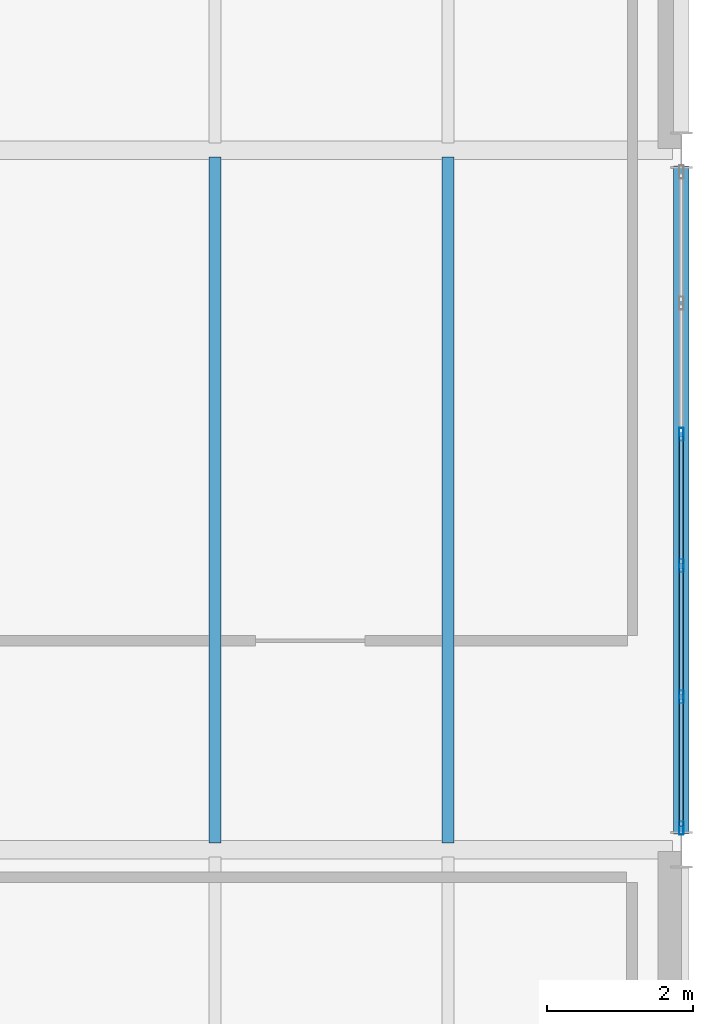
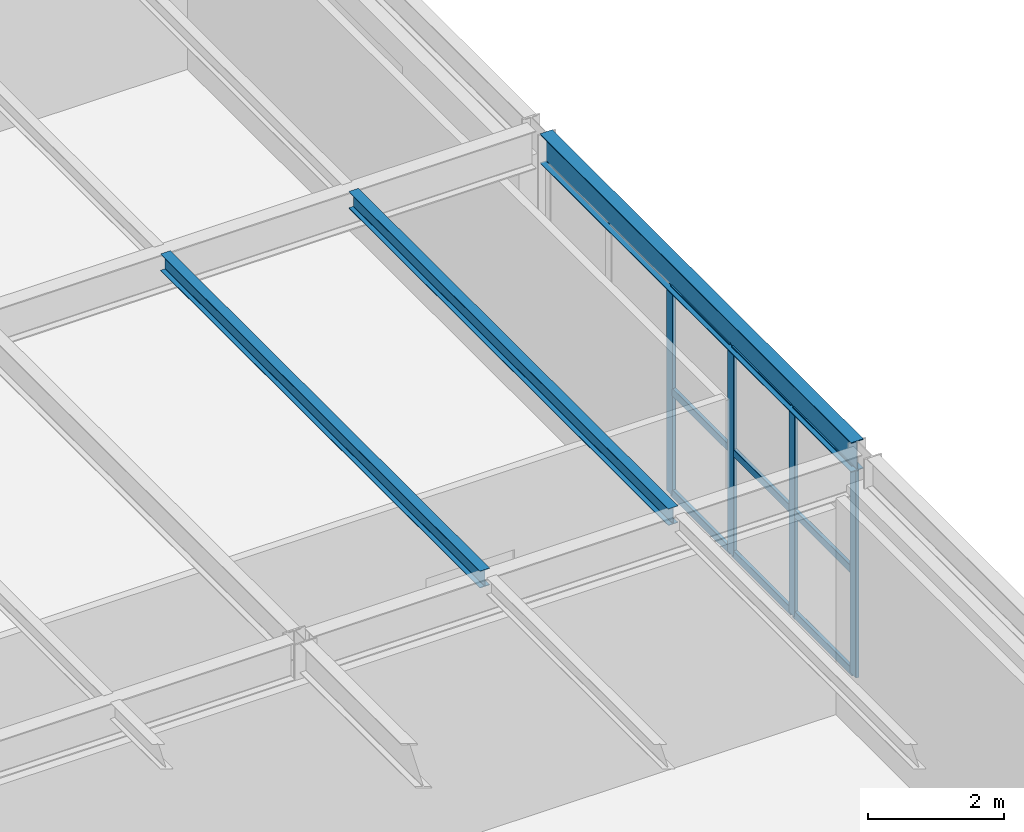
# One storey, part 122 of 170: 13 members, 3 beams, 1 element without a shape of its own.
"""IFC4 building model written with IfcOpenShell, lengths in metres."""

from ifc_helpers import new_model, si_unit, direction, frame, origin, origin_2d, place, context, subcontext, project, spatial, hollow_rectangle, i_section, extrude, material, material_profile, profile_set, type_object, element, aggregate, save


model = new_model("IFC4")

# Units and contexts
model_context = context("Model", 3, precision=1e-05, world=origin(), true_north=direction((0.0, 1.0)))
body_context = subcontext(model_context, "Body", "Model", "MODEL_VIEW")
ifc_project = project(units=[si_unit("LENGTHUNIT", "METRE"), si_unit("AREAUNIT", "SQUARE_METRE"), si_unit("VOLUMEUNIT", "CUBIC_METRE"), si_unit("PLANEANGLEUNIT", "RADIAN"), si_unit("MASSUNIT", "GRAM", prefix="KILO")], contexts=[model_context])

# Site, building, storey
site_placement = place(None, origin())
site = spatial("IfcSite", under=ifc_project, at=site_placement, CompositionType="ELEMENT")
building_placement = place(site_placement, origin())
building = spatial("IfcBuilding", under=site, at=building_placement, Name="Coralgate Yard Interchange", CompositionType="ELEMENT")
storey_placement = place(building_placement, frame((0.0, 0.0, 6.0)))
storey = spatial("IfcBuildingStorey", under=building, at=storey_placement, Name="L01", CompositionType="ELEMENT", Elevation=6.0)

# Beams
ifc_material_1 = material(Name="Structural steel S355J2", Category="steel")
ifc_material_profile_1 = material_profile(ifc_material_1, i_section(OverallWidth=0.209228515625, OverallDepth=0.533203125, WebThickness=0.010009765625, FlangeThickness=0.015625, FilletRadius=0.0126953125, at=origin_2d()), Name="UB 533x210x92")
ifc_profile_set_1 = profile_set([ifc_material_profile_1], Name="Structural steel S355J2")
beam_type_1 = type_object("IfcBeamType", Name="BM-SB-1", PredefinedType="BEAM", material=ifc_profile_set_1)
beam_placement = place(storey_placement, frame((182.39990234375, 9.820068359375, 3.9833984375), z_axis=(0.0, 1.0, 0.0), x_axis=(-1.0, 0.0, 0.0)))
element("IfcBeam", 1, at=beam_placement, inside=storey, type_object=beam_type_1, Name="L01 primary grid girder X19 Y1-2", PredefinedType="BEAM", context=body_context, shape_type="SweptSolid", body=[
    extrude(i_section(OverallWidth=0.209228515625, OverallDepth=0.533203125, WebThickness=0.010009765625, FlangeThickness=0.015625, FilletRadius=0.0126953125, at=origin_2d()), origin(), (0.0, 0.0, 1.0), 9.159912109375),
])
ifc_material_profile_2 = material_profile(ifc_material_1, i_section(OverallWidth=0.1650390625, OverallDepth=0.303466796875, WebThickness=0.006103515625, FlangeThickness=0.01025390625, FilletRadius=0.0087890625, at=origin_2d()), Name="UB 305x165x40")
ifc_profile_set_2 = profile_set([ifc_material_profile_2], Name="Structural steel S355J2")
beam_type_2 = type_object("IfcBeamType", Name="BM-SJ-1", PredefinedType="JOIST", material=ifc_profile_set_2)
for number, where, z_axis, x_axis, name in (
    (2, (176.0, 9.69677734375, 4.098388671875), (0.0, 1.0, 0.0), (-1.0, 0.0, 0.0), "L01 composite floor joist 18-1-1"),
    (3, (179.199951171875, 9.69677734375, 4.098388671875), (0.0, 1.0, 0.0), (-1.0, 0.0, 0.0), "L01 composite floor joist 18-1-2"),
):
    element("IfcBeam", number, at=place(storey_placement, frame(where, z_axis=z_axis, x_axis=x_axis)), inside=storey, type_object=beam_type_2, Name=name, PredefinedType="JOIST", context=body_context, shape_type="SweptSolid", body=[
        extrude(i_section(OverallWidth=0.1650390625, OverallDepth=0.303466796875, WebThickness=0.006103515625, FlangeThickness=0.01025390625, FilletRadius=0.0087890625, at=origin_2d()), origin(), (0.0, 0.0, 1.0), 9.40625),
    ])

# Curtain wall, members
ifc_material_2 = material(Name="Anodised coastal aluminium and solar-control low-E glass", Category="aluminium")
curtain_wall_type = type_object("IfcCurtainWallType", Name="CW-CW-L01-B", PredefinedType="NOTDEFINED", material=ifc_material_2)
curtain_wall_placement = place(storey_placement, origin())
curtain_wall = element("IfcCurtainWall", 4, at=curtain_wall_placement, inside=storey, type_object=curtain_wall_type, Name="L01 unitised curtain wall CW-L01-E-18-01", PredefinedType="NOTDEFINED")
ifc_material_3 = material(Name="Anodised coastal aluminium 6063-T6", Category="aluminium")
ifc_material_profile_3 = material_profile(ifc_material_3, hollow_rectangle(XDim=0.06005859375, YDim=0.179931640625, WallThickness=0.00390625, InnerFilletRadius=0.00390625, OuterFilletRadius=0.008056640625, at=origin_2d()), Name="ALU 60x180x4")
ifc_profile_set_3 = profile_set([ifc_material_profile_3], Name="Anodised coastal aluminium 6063-T6")
member_type_1 = type_object("IfcMemberType", Name="MB-MUL-180", PredefinedType="MULLION", material=ifc_profile_set_3)
member_1_placement = place(storey_placement, frame((182.39990234375, 15.300048828125, 0.0), z_axis=(0.0, 0.0, 1.0), x_axis=(1.0, 0.0, 0.0)))
member_1 = element("IfcMember", 5, at=member_1_placement, type_object=member_type_1, Name="CW-L01-E-18-01 vertical mullion 3", PredefinedType="MULLION", context=body_context, shape_type="SweptSolid", body=[
    extrude(hollow_rectangle(XDim=0.06005859375, YDim=0.179931640625, WallThickness=0.00390625, InnerFilletRadius=0.00390625, OuterFilletRadius=0.008056640625, at=origin_2d()), origin(), (0.0, 0.0, 1.0), 3.716796875),
])
member_2_placement = place(storey_placement, frame((182.39990234375, 13.5, 0.0), z_axis=(0.0, 0.0, 1.0), x_axis=(1.0, 0.0, 0.0)))
member_2 = element("IfcMember", 6, at=member_2_placement, type_object=member_type_1, Name="CW-L01-E-18-01 vertical mullion 4", PredefinedType="MULLION", context=body_context, shape_type="SweptSolid", body=[
    extrude(hollow_rectangle(XDim=0.06005859375, YDim=0.179931640625, WallThickness=0.00390625, InnerFilletRadius=0.00390625, OuterFilletRadius=0.008056640625, at=origin_2d()), origin(), (0.0, 0.0, 1.0), 3.716796875),
])
member_3_placement = place(storey_placement, frame((182.39990234375, 11.699951171875, 0.0), z_axis=(0.0, 0.0, 1.0), x_axis=(1.0, 0.0, 0.0)))
member_3 = element("IfcMember", 7, at=member_3_placement, type_object=member_type_1, Name="CW-L01-E-18-01 vertical mullion 5", PredefinedType="MULLION", context=body_context, shape_type="SweptSolid", body=[
    extrude(hollow_rectangle(XDim=0.06005859375, YDim=0.179931640625, WallThickness=0.00390625, InnerFilletRadius=0.00390625, OuterFilletRadius=0.008056640625, at=origin_2d()), origin(), (0.0, 0.0, 1.0), 3.716796875),
])
member_4_placement = place(storey_placement, frame((182.39990234375, 9.89990234375, 0.0), z_axis=(0.0, 0.0, 1.0), x_axis=(1.0, 0.0, 0.0)))
member_4 = element("IfcMember", 8, at=member_4_placement, type_object=member_type_1, Name="CW-L01-E-18-01 vertical mullion 6", PredefinedType="MULLION", context=body_context, shape_type="SweptSolid", body=[
    extrude(hollow_rectangle(XDim=0.06005859375, YDim=0.179931640625, WallThickness=0.00390625, InnerFilletRadius=0.00390625, OuterFilletRadius=0.008056640625, at=origin_2d()), origin(), (0.0, 0.0, 1.0), 3.716796875),
])
ifc_material_profile_4 = material_profile(ifc_material_3, hollow_rectangle(XDim=0.06005859375, YDim=0.139892578125, WallThickness=0.00341796875, InnerFilletRadius=0.00341796875, OuterFilletRadius=0.007080078125, at=origin_2d()), Name="ALU 60x140x3.5")
ifc_profile_set_4 = profile_set([ifc_material_profile_4], Name="Anodised coastal aluminium 6063-T6")
member_type_2 = type_object("IfcMemberType", Name="MB-TRN-140", PredefinedType="USERDEFINED", material=ifc_profile_set_4)
member_5_placement = place(storey_placement, frame((182.39990234375, 15.27001953125, 0.034912109375), z_axis=(0.0, -1.0, 0.0), x_axis=(1.0, 0.0, 0.0)))
member_5 = element("IfcMember", 9, at=member_5_placement, type_object=member_type_2, Name="CW-L01-E-18-01 horizontal transom 3-1", ObjectType="TRANSOM", PredefinedType="USERDEFINED", context=body_context, shape_type="SweptSolid", body=[
    extrude(hollow_rectangle(XDim=0.06005859375, YDim=0.139892578125, WallThickness=0.00341796875, InnerFilletRadius=0.00341796875, OuterFilletRadius=0.007080078125, at=origin_2d()), origin(), (0.0, 0.0, 1.0), 1.739990234375),
])
member_6_placement = place(storey_placement, frame((182.39990234375, 15.27001953125, 1.8583984375), z_axis=(0.0, -1.0, 0.0), x_axis=(1.0, 0.0, 0.0)))
member_6 = element("IfcMember", 10, at=member_6_placement, type_object=member_type_2, Name="CW-L01-E-18-01 horizontal transom 3-2", ObjectType="TRANSOM", PredefinedType="USERDEFINED", context=body_context, shape_type="SweptSolid", body=[
    extrude(hollow_rectangle(XDim=0.06005859375, YDim=0.139892578125, WallThickness=0.00341796875, InnerFilletRadius=0.00341796875, OuterFilletRadius=0.007080078125, at=origin_2d()), origin(), (0.0, 0.0, 1.0), 1.739990234375),
])
member_7_placement = place(storey_placement, frame((182.39990234375, 15.27001953125, 3.681884765625), z_axis=(0.0, -1.0, 0.0), x_axis=(1.0, 0.0, 0.0)))
member_7 = element("IfcMember", 11, at=member_7_placement, type_object=member_type_2, Name="CW-L01-E-18-01 horizontal transom 3-3", ObjectType="TRANSOM", PredefinedType="USERDEFINED", context=body_context, shape_type="SweptSolid", body=[
    extrude(hollow_rectangle(XDim=0.06005859375, YDim=0.139892578125, WallThickness=0.00341796875, InnerFilletRadius=0.00341796875, OuterFilletRadius=0.007080078125, at=origin_2d()), origin(), (0.0, 0.0, 1.0), 1.739990234375),
])
member_8_placement = place(storey_placement, frame((182.39990234375, 13.469970703125, 0.034912109375), z_axis=(0.0, -1.0, 0.0), x_axis=(1.0, 0.0, 0.0)))
member_8 = element("IfcMember", 12, at=member_8_placement, type_object=member_type_2, Name="CW-L01-E-18-01 horizontal transom 4-1", ObjectType="TRANSOM", PredefinedType="USERDEFINED", context=body_context, shape_type="SweptSolid", body=[
    extrude(hollow_rectangle(XDim=0.06005859375, YDim=0.139892578125, WallThickness=0.00341796875, InnerFilletRadius=0.00341796875, OuterFilletRadius=0.007080078125, at=origin_2d()), origin(), (0.0, 0.0, 1.0), 1.739990234375),
])
member_9_placement = place(storey_placement, frame((182.39990234375, 13.469970703125, 1.8583984375), z_axis=(0.0, -1.0, 0.0), x_axis=(1.0, 0.0, 0.0)))
member_9 = element("IfcMember", 13, at=member_9_placement, type_object=member_type_2, Name="CW-L01-E-18-01 horizontal transom 4-2", ObjectType="TRANSOM", PredefinedType="USERDEFINED", context=body_context, shape_type="SweptSolid", body=[
    extrude(hollow_rectangle(XDim=0.06005859375, YDim=0.139892578125, WallThickness=0.00341796875, InnerFilletRadius=0.00341796875, OuterFilletRadius=0.007080078125, at=origin_2d()), origin(), (0.0, 0.0, 1.0), 1.739990234375),
])
member_10_placement = place(storey_placement, frame((182.39990234375, 13.469970703125, 3.681884765625), z_axis=(0.0, -1.0, 0.0), x_axis=(1.0, 0.0, 0.0)))
member_10 = element("IfcMember", 14, at=member_10_placement, type_object=member_type_2, Name="CW-L01-E-18-01 horizontal transom 4-3", ObjectType="TRANSOM", PredefinedType="USERDEFINED", context=body_context, shape_type="SweptSolid", body=[
    extrude(hollow_rectangle(XDim=0.06005859375, YDim=0.139892578125, WallThickness=0.00341796875, InnerFilletRadius=0.00341796875, OuterFilletRadius=0.007080078125, at=origin_2d()), origin(), (0.0, 0.0, 1.0), 1.739990234375),
])
member_11_placement = place(storey_placement, frame((182.39990234375, 11.669921875, 0.034912109375), z_axis=(0.0, -1.0, 0.0), x_axis=(1.0, 0.0, 0.0)))
member_11 = element("IfcMember", 15, at=member_11_placement, type_object=member_type_2, Name="CW-L01-E-18-01 horizontal transom 5-1", ObjectType="TRANSOM", PredefinedType="USERDEFINED", context=body_context, shape_type="SweptSolid", body=[
    extrude(hollow_rectangle(XDim=0.06005859375, YDim=0.139892578125, WallThickness=0.00341796875, InnerFilletRadius=0.00341796875, OuterFilletRadius=0.007080078125, at=origin_2d()), origin(), (0.0, 0.0, 1.0), 1.739990234375),
])
member_12_placement = place(storey_placement, frame((182.39990234375, 11.669921875, 1.8583984375), z_axis=(0.0, -1.0, 0.0), x_axis=(1.0, 0.0, 0.0)))
member_12 = element("IfcMember", 16, at=member_12_placement, type_object=member_type_2, Name="CW-L01-E-18-01 horizontal transom 5-2", ObjectType="TRANSOM", PredefinedType="USERDEFINED", context=body_context, shape_type="SweptSolid", body=[
    extrude(hollow_rectangle(XDim=0.06005859375, YDim=0.139892578125, WallThickness=0.00341796875, InnerFilletRadius=0.00341796875, OuterFilletRadius=0.007080078125, at=origin_2d()), origin(), (0.0, 0.0, 1.0), 1.739990234375),
])
member_13_placement = place(storey_placement, frame((182.39990234375, 11.669921875, 3.681884765625), z_axis=(0.0, -1.0, 0.0), x_axis=(1.0, 0.0, 0.0)))
member_13 = element("IfcMember", 17, at=member_13_placement, type_object=member_type_2, Name="CW-L01-E-18-01 horizontal transom 5-3", ObjectType="TRANSOM", PredefinedType="USERDEFINED", context=body_context, shape_type="SweptSolid", body=[
    extrude(hollow_rectangle(XDim=0.06005859375, YDim=0.139892578125, WallThickness=0.00341796875, InnerFilletRadius=0.00341796875, OuterFilletRadius=0.007080078125, at=origin_2d()), origin(), (0.0, 0.0, 1.0), 1.739990234375),
])
aggregate(curtain_wall, [member_1, member_2, member_3, member_4, member_5, member_6, member_7, member_8, member_9, member_10, member_11, member_12, member_13])

save(model, "model.ifc")
